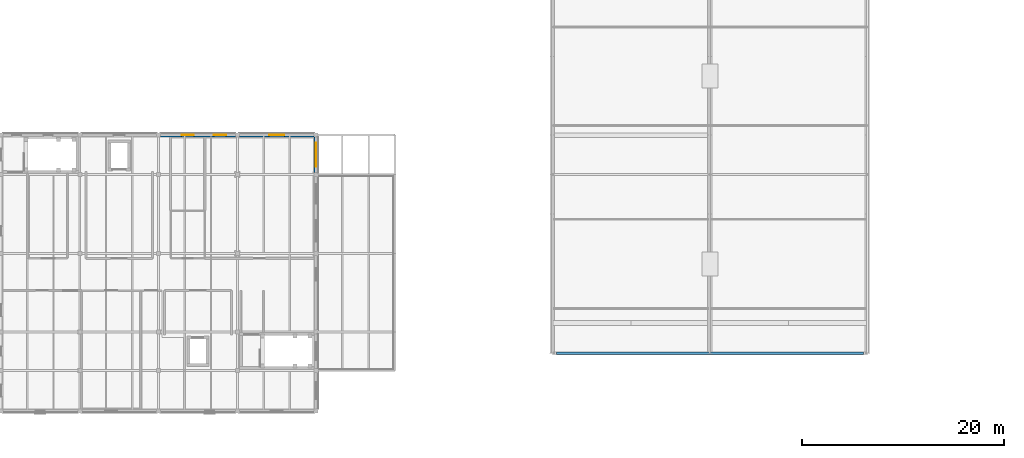
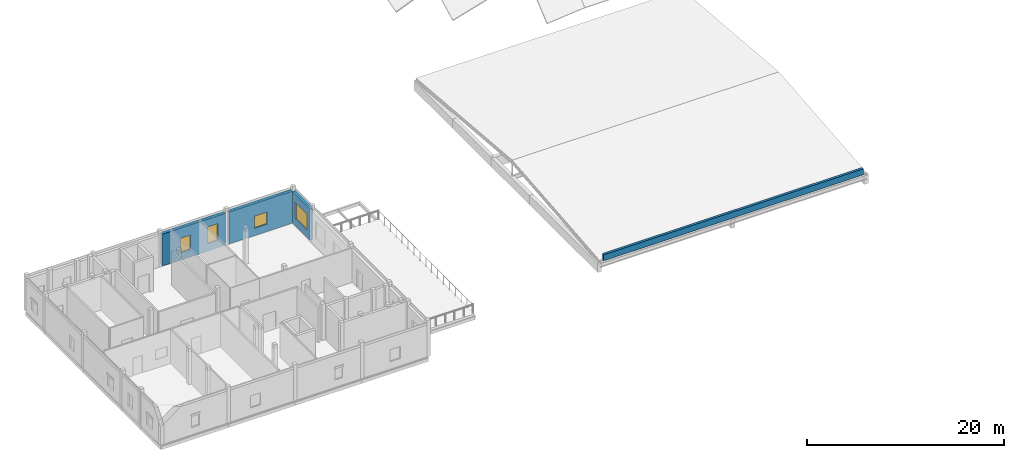
# One storey, part 36 of 45: 4 walls, 4 windows, 4 openings.
"""IFC4 building model written with IfcOpenShell, lengths in metres."""

from ifc_helpers import new_model, si_unit, direction, frame, frame_2d, origin, place, context, subcontext, project, spatial, rectangle, extrude, material, layer, layer_set, type_object, element, fill, save


model = new_model("IFC4")

# Units and contexts
model_context = context("Model", 3, precision=1e-05, world=origin(), true_north=direction((0.0, 1.0)))
body_context = subcontext(model_context, "Body", "Model", "MODEL_VIEW")
ifc_project = project(units=[si_unit("LENGTHUNIT", "METRE"), si_unit("AREAUNIT", "SQUARE_METRE"), si_unit("VOLUMEUNIT", "CUBIC_METRE"), si_unit("PLANEANGLEUNIT", "RADIAN"), si_unit("MASSUNIT", "GRAM", prefix="KILO")], contexts=[model_context])

# Site, building, storey
site_placement = place(None, origin())
site = spatial("IfcSite", under=ifc_project, at=site_placement, CompositionType="ELEMENT")
building_placement = place(site_placement, origin())
building = spatial("IfcBuilding", under=site, at=building_placement, Name="Celorna Specialist Clinic", CompositionType="ELEMENT")
storey_placement = place(building_placement, frame((0.0, 0.0, 18.60009765625)))
storey = spatial("IfcBuildingStorey", under=building, at=storey_placement, Name="L04", CompositionType="ELEMENT", Elevation=18.60009765625)

# Wall, openings, windows
ifc_material_1 = material(Name="Terracotta masonry with insulated cavity", Category="masonry")
ifc_layer_1 = layer(ifc_material_1, 0.3798828125, Name="Terracotta masonry with insulated cavity")
ifc_layer_set_1 = layer_set([ifc_layer_1], Name="Terracotta masonry with insulated cavity")
wall_type_1 = type_object("IfcWallType", Name="WT-06", PredefinedType="STANDARD", material=ifc_layer_set_1)
wall_1_placement = place(storey_placement, frame((15.800048828125, 27.300048828125, 0.0), z_axis=(0.0, 0.0, 1.0), x_axis=(1.0, 0.0, 0.0)))
wall_1 = element("IfcWall", 1, at=wall_1_placement, inside=storey, type_object=wall_type_1, Name="External facade wall WT-06 #366", PredefinedType="STANDARD", context=body_context, shape_type="SweptSolid", body=[
    extrude(rectangle(XDim=7.39990234375, YDim=0.3798828125, at=frame_2d((3.699951171875, 0.0))), origin(), (0.0, 0.0, 1.0), 3.949951171875),
])
opening_1_placement = place(wall_1_placement, frame((2.090087890625, 0.0, 0.89990234375)))
opening_1 = element("IfcOpeningElement", 2, at=opening_1_placement, cuts=wall_1, Name="Opening WN-05", PredefinedType="OPENING", context=body_context, shape_type="SweptSolid", body=[
    extrude(rectangle(XDim=1.199951171875, YDim=1.800048828125, at=frame_2d((0.60009765625, 0.89990234375))), frame((0.0, 0.199951171875, 0.0), z_axis=(0.0, -1.0, 0.0), x_axis=(1.0, 0.0, 0.0)), (0.0, 0.0, 1.0), 0.39990234375),
])
opening_2_placement = place(wall_1_placement, frame((5.284912109375, 0.0, 0.89990234375)))
opening_2 = element("IfcOpeningElement", 3, at=opening_2_placement, cuts=wall_1, Name="Opening WN-06", PredefinedType="OPENING", context=body_context, shape_type="SweptSolid", body=[
    extrude(rectangle(XDim=1.199951171875, YDim=2.10009765625, at=frame_2d((0.60009765625, 1.050048828125))), frame((0.0, 0.199951171875, 0.0), z_axis=(0.0, -1.0, 0.0), x_axis=(1.0, 0.0, 0.0)), (0.0, 0.0, 1.0), 0.39990234375),
])
ifc_material_2 = material(Name="Thermally broken aluminium triple-glazed window", Category="aluminium")
window_type_1 = type_object("IfcWindowType", Name="WN-05", PartitioningType="SINGLE_PANEL", PredefinedType="WINDOW", material=ifc_material_2)
window_1_placement = place(opening_1_placement, origin())
window_1 = element("IfcWindow", 4, at=window_1_placement, inside=storey, type_object=window_type_1, Name="Facade window WN-05 #231", OverallHeight=1.800048828125, OverallWidth=1.199951171875, PartitioningType="SINGLE_PANEL", PredefinedType="WINDOW", context=body_context, shape_type="SweptSolid", body=[
    extrude(rectangle(XDim=1.199951171875, YDim=1.800048828125, at=frame_2d((0.60009765625, 0.89990234375))), frame((0.0, 0.030029296875, 0.0), z_axis=(0.0, -1.0, 0.0), x_axis=(1.0, 0.0, 0.0)), (0.0, 0.0, 1.0), 0.06005859375),
])
fill(opening_1, window_1)
window_type_2 = type_object("IfcWindowType", Name="WN-06", PartitioningType="SINGLE_PANEL", PredefinedType="WINDOW", material=ifc_material_2)
window_2_placement = place(opening_2_placement, origin())
window_2 = element("IfcWindow", 5, at=window_2_placement, inside=storey, type_object=window_type_2, Name="Facade window WN-06 #232", OverallHeight=2.10009765625, OverallWidth=1.199951171875, PartitioningType="SINGLE_PANEL", PredefinedType="WINDOW", context=body_context, shape_type="SweptSolid", body=[
    extrude(rectangle(XDim=1.199951171875, YDim=2.10009765625, at=frame_2d((0.60009765625, 1.050048828125))), frame((0.0, 0.030029296875, 0.0), z_axis=(0.0, -1.0, 0.0), x_axis=(1.0, 0.0, 0.0)), (0.0, 0.0, 1.0), 0.06005859375),
])
fill(opening_2, window_2)

# Wall, opening, window
wall_2_placement = place(storey_placement, frame((23.60009765625, 27.300048828125, 0.0), z_axis=(0.0, 0.0, 1.0), x_axis=(1.0, 0.0, 0.0)))
wall_2 = element("IfcWall", 6, at=wall_2_placement, inside=storey, type_object=wall_type_1, Name="External facade wall WT-06 #367", PredefinedType="STANDARD", context=body_context, shape_type="SweptSolid", body=[
    extrude(rectangle(XDim=7.39990234375, YDim=0.3798828125, at=frame_2d((3.699951171875, 0.0))), origin(), (0.0, 0.0, 1.0), 3.949951171875),
])
opening_3_placement = place(wall_2_placement, frame((2.949951171875, 0.0, 0.89990234375)))
opening_3 = element("IfcOpeningElement", 7, at=opening_3_placement, cuts=wall_2, Name="Opening WN-08", PredefinedType="OPENING", context=body_context, shape_type="SweptSolid", body=[
    extrude(rectangle(XDim=1.5, YDim=1.5, at=frame_2d((0.75, 0.75))), frame((0.0, 0.199951171875, 0.0), z_axis=(0.0, -1.0, 0.0), x_axis=(1.0, 0.0, 0.0)), (0.0, 0.0, 1.0), 0.39990234375),
])
window_type_3 = type_object("IfcWindowType", Name="WN-08", PartitioningType="SINGLE_PANEL", PredefinedType="WINDOW", material=ifc_material_2)
window_3_placement = place(opening_3_placement, origin())
window_3 = element("IfcWindow", 8, at=window_3_placement, inside=storey, type_object=window_type_3, Name="Facade window WN-08 #233", OverallHeight=1.5, OverallWidth=1.5, PartitioningType="SINGLE_PANEL", PredefinedType="WINDOW", context=body_context, shape_type="SweptSolid", body=[
    extrude(rectangle(XDim=1.5, YDim=1.5, at=frame_2d((0.75, 0.75))), frame((0.0, 0.030029296875, 0.0), z_axis=(0.0, -1.0, 0.0), x_axis=(1.0, 0.0, 0.0)), (0.0, 0.0, 1.0), 0.06005859375),
])
fill(opening_3, window_3)

wall_3_placement = place(storey_placement, frame((31.199951171875, 27.10009765625, 0.0), z_axis=(0.0, 0.0, 1.0), x_axis=(0.0, -1.0, 0.0)))
wall_3 = element("IfcWall", 9, at=wall_3_placement, inside=storey, type_object=wall_type_1, Name="External facade wall WT-06 #377", PredefinedType="STANDARD", context=body_context, shape_type="SweptSolid", body=[
    extrude(rectangle(XDim=3.5, YDim=0.3798828125, at=frame_2d((1.75, 0.0))), origin(), (0.0, 0.0, 1.0), 3.89990234375),
])
opening_4_placement = place(wall_3_placement, frame((0.550048828125, 0.0, 0.89990234375)))
opening_4 = element("IfcOpeningElement", 10, at=opening_4_placement, cuts=wall_3, Name="Opening WN-19", PredefinedType="OPENING", context=body_context, shape_type="SweptSolid", body=[
    extrude(rectangle(XDim=2.39990234375, YDim=2.0, at=frame_2d((1.199951171875, 1.0))), frame((0.0, 0.199951171875, 0.0), z_axis=(0.0, -1.0, 0.0), x_axis=(1.0, 0.0, 0.0)), (0.0, 0.0, 1.0), 0.39990234375),
])
ifc_material_3 = material(Name="Rehabilitation gym daylight window")
window_type_4 = type_object("IfcWindowType", Name="WN-19", PartitioningType="SINGLE_PANEL", PredefinedType="WINDOW", material=ifc_material_3)
window_4_placement = place(opening_4_placement, origin())
window_4 = element("IfcWindow", 11, at=window_4_placement, inside=storey, type_object=window_type_4, Name="Facade window WN-19 #243", OverallHeight=2.0, OverallWidth=2.39990234375, PartitioningType="SINGLE_PANEL", PredefinedType="WINDOW", context=body_context, shape_type="SweptSolid", body=[
    extrude(rectangle(XDim=2.39990234375, YDim=2.0, at=frame_2d((1.199951171875, 1.0))), frame((0.0, 0.030029296875, 0.0), z_axis=(0.0, -1.0, 0.0), x_axis=(1.0, 0.0, 0.0)), (0.0, 0.0, 1.0), 0.06005859375),
])
fill(opening_4, window_4)

# Wall
ifc_material_4 = material(Name="Pero Pinheiro Lioz limestone coping wall", Category="masonry")
ifc_layer_2 = layer(ifc_material_4, 0.280029296875, Name="Pero Pinheiro Lioz limestone coping wall")
ifc_layer_set_2 = layer_set([ifc_layer_2], Name="Pero Pinheiro Lioz limestone coping wall")
wall_type_2 = type_object("IfcWallType", Name="WT-09", PredefinedType="PARAPET", material=ifc_layer_set_2)
wall_4_placement = place(storey_placement, frame((55.0, 5.699951171875, 0.0), z_axis=(0.0, 0.0, 1.0), x_axis=(1.0, 0.0, 0.0)))
element("IfcWall", 12, at=wall_4_placement, inside=storey, type_object=wall_type_2, Name="Lioz roof parapet WT-09 #5", PredefinedType="PARAPET", context=body_context, shape_type="SweptSolid", body=[
    extrude(rectangle(XDim=30.39990234375, YDim=0.280029296875, at=frame_2d((15.199951171875, 0.0))), origin(), (0.0, 0.0, 1.0), 0.75),
])

save(model, "model.ifc")
